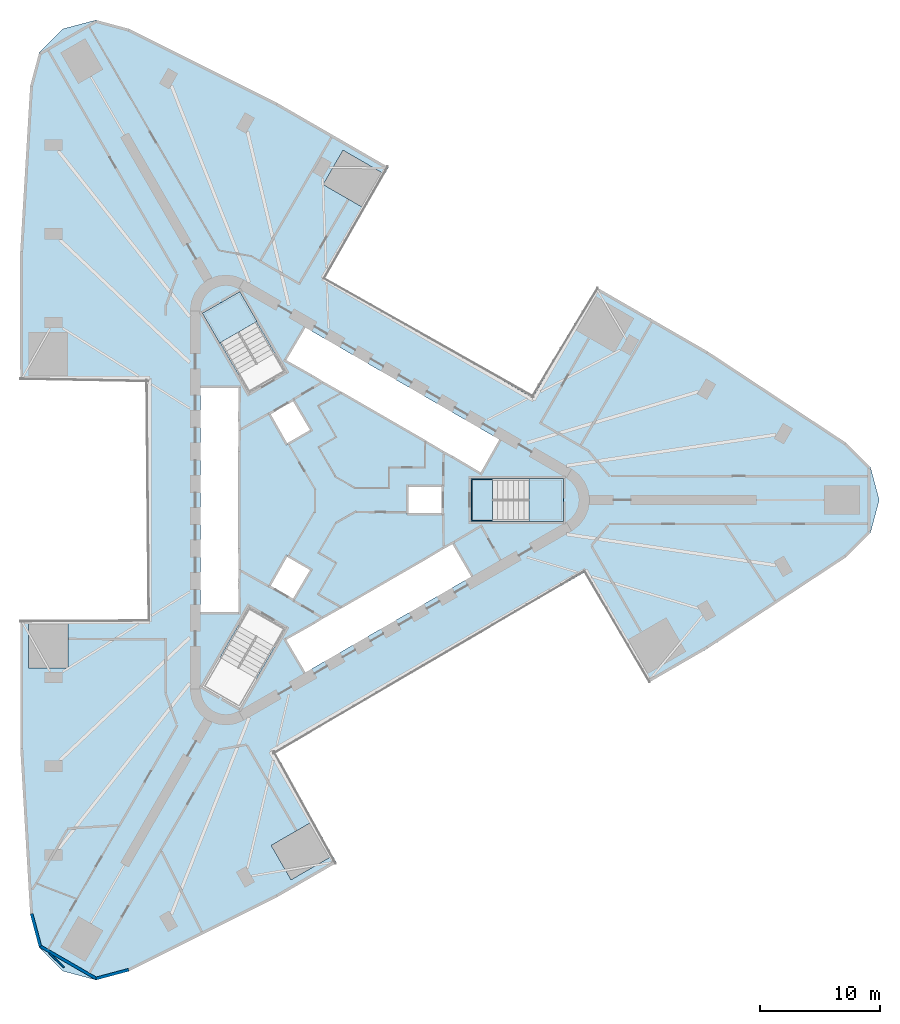
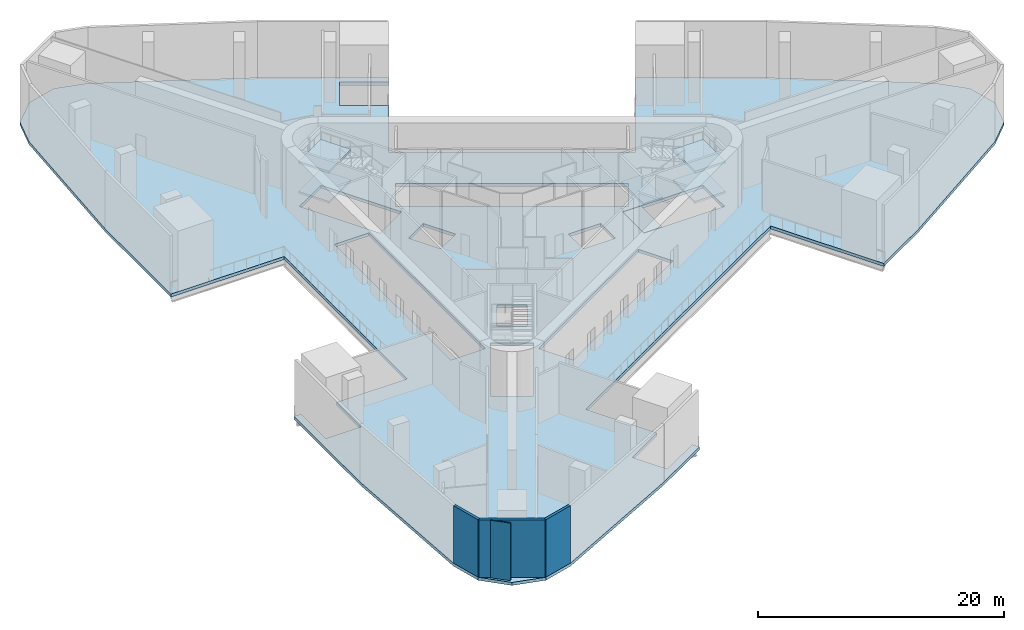
# One storey, part 2 of 11: 7 slabs, 4 walls, 2 elements without a shape of their own.
"""IFC4 building model written with IfcOpenShell, lengths in metres."""

from ifc_helpers import new_model, si_unit, direction, frame, frame_2d, origin, place, context, subcontext, project, spatial, polyline, rectangle, outline, extrude, material, layer, layer_set, type_object, element, aggregate, save


model = new_model("IFC4")

# Units and contexts
model_context = context("Model", 3, precision=1e-05, world=origin(), true_north=direction((0.0, 1.0)))
body_context = subcontext(model_context, "Body", "Model", "MODEL_VIEW")
ifc_project = project(units=[si_unit("LENGTHUNIT", "METRE"), si_unit("AREAUNIT", "SQUARE_METRE"), si_unit("VOLUMEUNIT", "CUBIC_METRE"), si_unit("PLANEANGLEUNIT", "RADIAN"), si_unit("MASSUNIT", "GRAM", prefix="KILO")], contexts=[model_context])

# Site, building, storey
site_placement = place(None, origin())
site = spatial("IfcSite", under=ifc_project, at=site_placement, CompositionType="ELEMENT")
building_placement = place(site_placement, origin())
building = spatial("IfcBuilding", under=site, at=building_placement, Name="Tanit Gate Tower", CompositionType="ELEMENT")
storey_placement = place(building_placement, frame((0.0, 0.0, 21.5)))
storey = spatial("IfcBuildingStorey", under=building, at=storey_placement, Name="L03", CompositionType="ELEMENT", Elevation=21.5)

# Stair, slabs
ifc_material_1 = material(Name="Concrete C40/50", Category="concrete")
stair_type = type_object("IfcStairType", Name="INT-STAIR-EXIT", PredefinedType="HALF_TURN_STAIR", material=ifc_material_1)
stair_1_placement = place(storey_placement, origin())
stair_1 = element("IfcStair", 1, at=stair_1_placement, inside=storey, type_object=stair_type, Name="L03 STAIR S1", PredefinedType="HALF_TURN_STAIR")
ifc_material_2 = material(Name="Concrete C40/50", Category="concrete")
ifc_layer_1 = layer(ifc_material_2, 0.199951171875)
ifc_layer_set_1 = layer_set([ifc_layer_1], Name="INT-STAIR-LANDING")
slab_type_1 = type_object("IfcSlabType", Name="INT-STAIR-LANDING", PredefinedType="LANDING", material=ifc_layer_set_1)
slab_1_placement = place(storey_placement, frame((0.0, 0.0, 1.300048828125)))
slab_1 = element("IfcSlab", 2, at=slab_1_placement, type_object=slab_type_1, Name="S1 landing 1", PredefinedType="LANDING", context=body_context, shape_type="SweptSolid", body=[
    extrude(outline(polyline([(16.135986328125, -1.800048828125), (19.0, -1.800048828125), (19.0, 1.800048828125), (16.135986328125, 1.800048828125), (16.135986328125, -1.800048828125)])), origin(), (0.0, 0.0, 1.0), 0.199951171875),
])
slab_2_placement = place(storey_placement, frame((0.0, 0.0, 2.800048828125)))
slab_2 = element("IfcSlab", 3, at=slab_2_placement, type_object=slab_type_1, Name="S1 landing 2", PredefinedType="LANDING", context=body_context, shape_type="SweptSolid", body=[
    extrude(outline(polyline([(11.300048828125, -1.800048828125), (13.10498046875, -1.800048828125), (13.10498046875, 1.800048828125), (11.300048828125, 1.800048828125), (11.300048828125, -1.800048828125)])), origin(), (0.0, 0.0, 1.0), 0.199951171875),
])
slab_3_placement = place(storey_placement, frame((0.0, 0.0, 4.300048828125)))
slab_3 = element("IfcSlab", 4, at=slab_3_placement, type_object=slab_type_1, Name="S1 landing 3", PredefinedType="LANDING", context=body_context, shape_type="SweptSolid", body=[
    extrude(outline(polyline([(16.135986328125, -1.800048828125), (19.0, -1.800048828125), (19.0, 1.800048828125), (16.135986328125, 1.800048828125), (16.135986328125, -1.800048828125)])), origin(), (0.0, 0.0, 1.0), 0.199951171875),
])
aggregate(stair_1, [slab_1, slab_2, slab_3])

# Slab
slab_4_placement = place(storey_placement, frame((0.0, 0.0, -0.199951171875)))
element("IfcSlab", 5, at=slab_4_placement, inside=storey, type_object=slab_type_1, Name="S1 floor landing", PredefinedType="LANDING", context=body_context, shape_type="SweptSolid", body=[
    extrude(outline(polyline([(11.3798828125, -1.719970703125), (13.10498046875, -1.719970703125), (13.10498046875, 1.719970703125), (11.3798828125, 1.719970703125), (11.3798828125, -1.719970703125)])), origin(), (0.0, 0.0, 1.0), 0.199951171875),
])

# Stair, slabs
stair_2_placement = place(storey_placement, origin())
stair_2 = element("IfcStair", 6, at=stair_2_placement, inside=storey, type_object=stair_type, Name="L03 STAIR S2", PredefinedType="HALF_TURN_STAIR")
slab_5_placement = place(storey_placement, frame((0.0, 0.0, 1.300048828125)))
slab_5 = element("IfcSlab", 7, at=slab_5_placement, type_object=slab_type_1, Name="S2 landing 1", PredefinedType="LANDING", context=body_context, shape_type="SweptSolid", body=[
    extrude(outline(polyline([(-6.5078125, 14.871826171875), (-7.941162109375, 17.3544921875), (-11.058837890625, 15.554443359375), (-9.62548828125, 13.07177734375), (-6.5078125, 14.871826171875)])), origin(), (0.0, 0.0, 1.0), 0.199951171875),
])
slab_6_placement = place(storey_placement, frame((0.0, 0.0, 4.300048828125)))
slab_6 = element("IfcSlab", 8, at=slab_6_placement, type_object=slab_type_1, Name="S2 landing 3", PredefinedType="LANDING", context=body_context, shape_type="SweptSolid", body=[
    extrude(outline(polyline([(-6.5078125, 14.871826171875), (-7.941162109375, 17.3544921875), (-11.058837890625, 15.554443359375), (-9.62548828125, 13.07177734375), (-6.5078125, 14.871826171875)])), origin(), (0.0, 0.0, 1.0), 0.199951171875),
])
aggregate(stair_2, [slab_5, slab_6])

# Slab
ifc_material_3 = material(Name="Concrete C35/45", Category="concrete")
ifc_layer_2 = layer(ifc_material_3, 0.300048828125)
ifc_layer_set_2 = layer_set([ifc_layer_2], Name="PODIUM FLOOR SLAB 300 C35/45")
slab_type_2 = type_object("IfcSlabType", Name="PODIUM FLOOR SLAB 300 C35/45", PredefinedType="FLOOR", material=ifc_layer_set_2)
slab_7_placement = place(storey_placement, frame((0.0, 0.0, -0.300048828125)))
element("IfcSlab", 9, at=slab_7_placement, inside=storey, type_object=slab_type_2, Name="FLOOR SLAB L03", PredefinedType="FLOOR", context=body_context, shape_type="SweptSolid", body=[
    extrude(outline(polyline([(42.5634765625, 4.75927734375), (44.574951171875, 2.747802734375), (45.311279296875, 0.0), (44.574951171875, -2.747802734375), (42.5634765625, -4.75927734375), (31.030517578125, -12.368896484375), (26.10400390625, -15.213623046875), (20.790283203125, -6.010009765625), (-5.1904296875, -21.010009765625), (-1.86376953125, -26.77197265625), (-5.327880859375, -28.77197265625), (-3.677734375, -31.6298828125), (-0.213623046875, -29.6298828125), (0.124267578125, -30.21533203125), (-4.80224609375, -33.06005859375), (-17.16015625, -39.24072265625), (-19.907958984375, -39.97705078125), (-22.655517578125, -39.24072265625), (-24.6669921875, -37.229248046875), (-25.4033203125, -34.4814453125), (-26.22705078125, -20.68896484375), (-26.227783203125, -10.0), (-25.553466796875, -10.0), (-25.553466796875, -14.0), (-22.25341796875, -14.0), (-22.25341796875, -10.0), (-15.60009765625, -10.0), (-15.60009765625, 10.0), (-26.22900390625, 10.0), (-26.229736328125, 20.68896484375), (-25.4033203125, 34.4814453125), (-24.6669921875, 37.229248046875), (-22.655517578125, 39.24072265625), (-19.907958984375, 39.97705078125), (-17.16015625, 39.24072265625), (-4.8037109375, 33.0576171875), (4.45361328125, 27.7138671875), (4.116455078125, 27.1298828125), (0.65234375, 29.1298828125), (-0.99755859375, 26.27197265625), (2.466552734375, 24.27197265625), (-0.8603515625, 18.510009765625), (16.460205078125, 8.510009765625), (21.77490234375, 17.715087890625), (31.031982421875, 12.371337890625), (42.5634765625, 4.75927734375)]), holes=[polyline([(18.929931640625, 1.72998046875), (18.929931640625, -1.72998046875), (11.3701171875, -1.72998046875), (11.3701171875, 1.72998046875), (18.929931640625, 1.72998046875)]), polyline([(-4.208984375, 11.60986328125), (-2.583984375, 14.424560546875), (13.783935546875, 4.974609375), (12.158935546875, 2.159912109375), (-4.208984375, 11.60986328125)]), polyline([(-4.208984375, -11.60986328125), (9.82080078125, -3.510009765625), (11.44580078125, -6.324462890625), (-2.583984375, -14.424560546875), (-4.208984375, -11.60986328125)]), polyline([(9.0, 1.199951171875), (9.0, -1.199951171875), (6.0, -1.199951171875), (6.0, 1.199951171875), (9.0, 1.199951171875)]), polyline([(-5.539306640625, 7.194091796875), (-3.460693359375, 8.394287109375), (-1.960693359375, 5.796142578125), (-4.039306640625, 4.59619140625), (-5.539306640625, 7.194091796875)]), polyline([(-3.460693359375, -8.394287109375), (-5.539306640625, -7.194091796875), (-4.039306640625, -4.59619140625), (-1.960693359375, -5.796142578125), (-3.460693359375, -8.394287109375)]), polyline([(-7.18310546875, 8.981689453125), (-10.963134765625, 15.52880859375), (-7.966796875, 17.2587890625), (-4.186767578125, 10.711669921875), (-7.18310546875, 8.981689453125)]), polyline([(-4.186767578125, -10.711669921875), (-7.966796875, -17.2587890625), (-10.963134765625, -15.52880859375), (-7.18310546875, -8.981689453125), (-4.186767578125, -10.711669921875)]), polyline([(-11.199951171875, -9.449951171875), (-11.199951171875, 9.449951171875), (-7.949951171875, 9.449951171875), (-7.949951171875, -9.449951171875), (-11.199951171875, -9.449951171875)])]), origin(), (0.0, 0.0, 1.0), 0.300048828125),
])

# Walls
ifc_material_4 = material(Name="Concrete C30/37 with bronze anodised aluminium cladding", Category="concrete")
ifc_layer_3 = layer(ifc_material_4, 0.239990234375)
ifc_layer_set_3 = layer_set([ifc_layer_3], Name="Facade wall bronze clad 240")
wall_type_1 = type_object("IfcWallType", Name="Facade wall bronze clad 240", PredefinedType="SOLIDWALL", material=ifc_layer_set_3)
wall_1_placement = place(storey_placement, frame((-25.284423828125, -34.462158203125, 0.0), z_axis=(0.0, 0.0, 1.0), x_axis=(0.258850842196, -0.965917305723, 0.0)))
element("IfcWall", 10, at=wall_1_placement, inside=storey, type_object=wall_type_1, Name="Bronze-clad facade wall L03 SW.arc1", PredefinedType="SOLIDWALL", context=body_context, shape_type="SweptSolid", body=[
    extrude(rectangle(XDim=2.80029296875, YDim=0.239990234375, at=frame_2d((1.400146484375, 0.0))), origin(), (0.0, 0.0, 1.0), 5.699951171875),
])
wall_2_placement = place(storey_placement, frame((-24.5595703125, -37.1669921875, 0.0), z_axis=(0.0, 0.0, 1.0), x_axis=(0.866010734295, -0.500025407441, 0.0)))
element("IfcWall", 11, at=wall_2_placement, inside=storey, type_object=wall_type_1, Name="Bronze-clad facade wall L03 SW.arc2", PredefinedType="SOLIDWALL", context=body_context, shape_type="SweptSolid", body=[
    extrude(rectangle(XDim=5.371337890625, YDim=0.239990234375, at=frame_2d((2.685546875, 0.0))), origin(), (0.0, 0.0, 1.0), 5.699951171875),
])
wall_3_placement = place(storey_placement, frame((-19.907958984375, -39.852783203125, 0.0), z_axis=(0.0, 0.0, 1.0), x_axis=(0.965923146675, 0.25882904535, 0.0)))
element("IfcWall", 12, at=wall_3_placement, inside=storey, type_object=wall_type_1, Name="Bronze-clad facade wall L03 SW.arc3", PredefinedType="SOLIDWALL", context=body_context, shape_type="SweptSolid", body=[
    extrude(rectangle(XDim=2.800537109375, YDim=0.239990234375, at=frame_2d((1.400390625, 0.0))), origin(), (0.0, 0.0, 1.0), 5.699951171875),
])
ifc_material_5 = material(Name="Gypsum board partition")
ifc_layer_4 = layer(ifc_material_5, 0.1201171875)
ifc_layer_set_4 = layer_set([ifc_layer_4], Name="INT-WALL-PARTITION")
wall_type_2 = type_object("IfcWallType", Name="INT-WALL-PARTITION", PredefinedType="PARTITIONING", material=ifc_layer_set_4)
wall_4_placement = place(storey_placement, frame((-23.80029296875, -37.743896484375, 0.0), z_axis=(0.0, 0.0, 1.0), x_axis=(0.717273158196, -0.696792089888, 0.0)))
element("IfcWall", 13, at=wall_4_placement, inside=storey, type_object=wall_type_2, Name="Wall Partition W094", PredefinedType="PARTITIONING", context=body_context, shape_type="SweptSolid", body=[
    extrude(rectangle(XDim=1.6806640625, YDim=0.1201171875, at=frame_2d((0.84033203125, 0.0))), origin(), (0.0, 0.0, 1.0), 5.699951171875),
])

save(model, "model.ifc")
